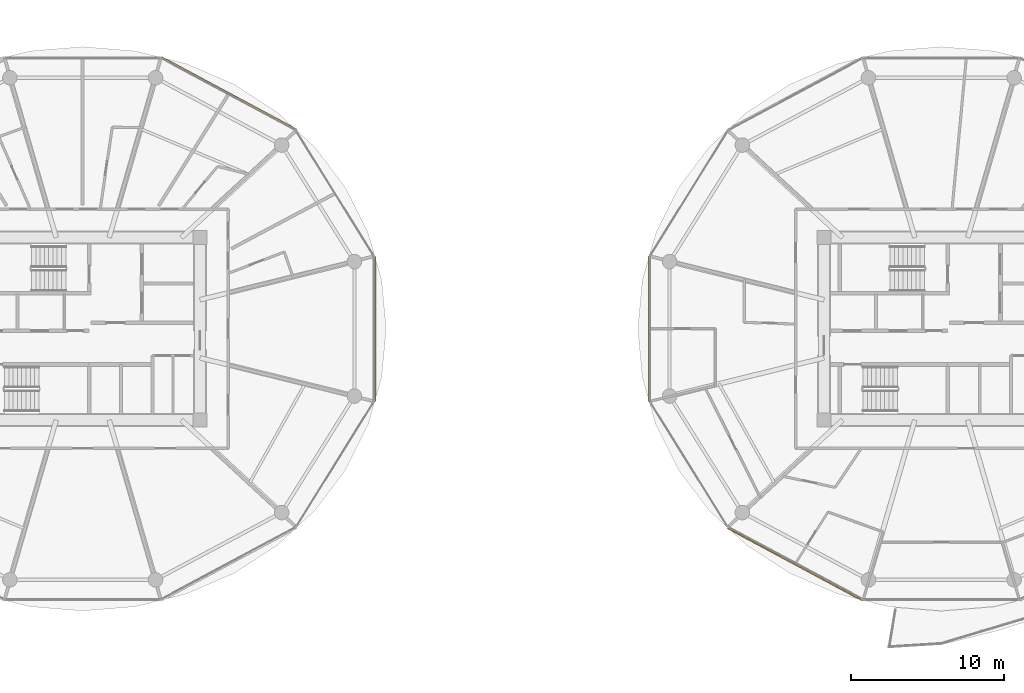
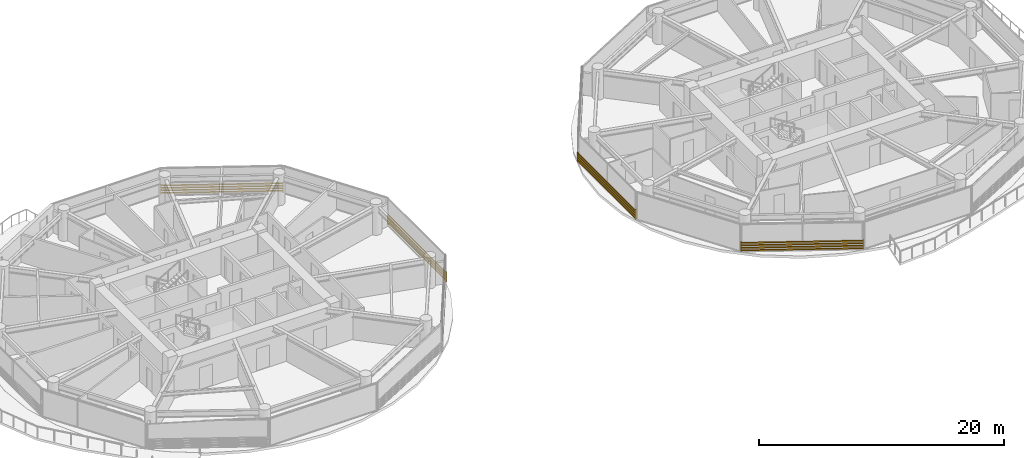
# One storey, part 25 of 27: 4 shading devices.
"""IFC4 building model written with IfcOpenShell, lengths in metres."""

from ifc_helpers import new_model, si_unit, direction, frame, origin, origin_2d, place, context, subcontext, project, spatial, rectangle, extrude, source, transform, mapped, material, type_object, type_shapes, element, save


model = new_model("IFC4")

# Units and contexts
model_context = context("Model", 3, precision=1e-05, world=origin(), true_north=direction((0.0, 1.0)))
body_context = subcontext(model_context, "Body", "Model", "MODEL_VIEW")
ifc_project = project(units=[si_unit("LENGTHUNIT", "METRE"), si_unit("AREAUNIT", "SQUARE_METRE"), si_unit("VOLUMEUNIT", "CUBIC_METRE"), si_unit("PLANEANGLEUNIT", "RADIAN"), si_unit("MASSUNIT", "GRAM", prefix="KILO")], contexts=[model_context])

# Site, building, storey
site_placement = place(None, origin())
site = spatial("IfcSite", under=ifc_project, at=site_placement, CompositionType="ELEMENT")
building_placement = place(site_placement, origin())
building = spatial("IfcBuilding", under=site, at=building_placement, Name="Norrkilde Senior Care Towers", CompositionType="ELEMENT")
storey_placement = place(building_placement, frame((0.0, 0.0, 33.800048828125)))
storey = spatial("IfcBuildingStorey", under=building, at=storey_placement, Name="L09", CompositionType="ELEMENT", Elevation=33.800048828125)

# Shading devices
ifc_material = material(Name="Architectural Terracotta", Category="masonry")
shading_device_type = type_object("IfcShadingDeviceType", Name="Horizontal Terracotta Baguette Rack", PredefinedType="USERDEFINED", material=ifc_material)
shared_shape_1 = source(origin(), body_context, "Body", "SweptSolid", [
    extrude(rectangle(XDim=0.070068359375, YDim=0.110107421875, at=origin_2d()), frame((0.0, 0.090087890625, 0.125), z_axis=(1.0, 0.0, 0.0), x_axis=(0.0, 1.0, 0.0)), (0.0, 0.0, 1.0), 10.0107421875),
    extrude(rectangle(XDim=0.070068359375, YDim=0.110107421875, at=origin_2d()), frame((0.0, 0.090087890625, 0.375), z_axis=(1.0, 0.0, 0.0), x_axis=(0.0, 1.0, 0.0)), (0.0, 0.0, 1.0), 10.0107421875),
    extrude(rectangle(XDim=0.070068359375, YDim=0.110107421875, at=origin_2d()), frame((0.0, 0.090087890625, 0.625), z_axis=(1.0, 0.0, 0.0), x_axis=(0.0, 1.0, 0.0)), (0.0, 0.0, 1.0), 10.0107421875),
    extrude(rectangle(XDim=0.070068359375, YDim=0.110107421875, at=origin_2d()), frame((0.0, 0.090087890625, 0.875), z_axis=(1.0, 0.0, 0.0), x_axis=(0.0, 1.0, 0.0)), (0.0, 0.0, 1.0), 10.0107421875),
    extrude(rectangle(XDim=0.050048828125, YDim=0.1552734375, at=origin_2d()), frame((0.02490234375, 0.047607421875, 0.0)), (0.0, 0.0, 1.0), 1.0),
    extrude(rectangle(XDim=0.050048828125, YDim=0.1552734375, at=origin_2d()), frame((9.98583984375, 0.047607421875, 0.0)), (0.0, 0.0, 1.0), 1.0),
])
for number, where, z_axis, x_axis, name in (
    (1, (-22.906494140625, 17.6572265625, 0.079833984375), (0.0, 0.0, 1.0), (0.881279875134, -0.472612428056, 0.0), "L09 Drum W Terracotta Baguette Screen 01"),
    (2, (22.906494140625, -17.6572265625, 0.079833984375), (0.0, 0.0, 1.0), (-0.881279875134, 0.472612428056, 0.0), "L09 Drum E Terracotta Baguette Screen 07"),
):
    element("IfcShadingDevice", number, at=place(storey_placement, frame(where, z_axis=z_axis, x_axis=x_axis)), inside=storey, type_object=shading_device_type, Name=name, ObjectType="BAGUETTE", PredefinedType="USERDEFINED", context=body_context, shape_type="MappedRepresentation", body=[
        mapped(shared_shape_1, transform((0.0, 0.0, 0.0), x_axis=(1.0, 0.0, 0.0), y_axis=(0.0, 1.0, 0.0), z_axis=(0.0, 0.0, 1.0), scale=1.0)),
    ])
shared_shape_2 = source(origin(), body_context, "Body", "SweptSolid", [
    extrude(rectangle(XDim=0.070068359375, YDim=0.110107421875, at=origin_2d()), frame((0.0, 0.090087890625, 0.125), z_axis=(1.0, 0.0, 0.0), x_axis=(0.0, 1.0, 0.0)), (0.0, 0.0, 1.0), 9.46240234375),
    extrude(rectangle(XDim=0.070068359375, YDim=0.110107421875, at=origin_2d()), frame((0.0, 0.090087890625, 0.375), z_axis=(1.0, 0.0, 0.0), x_axis=(0.0, 1.0, 0.0)), (0.0, 0.0, 1.0), 9.46240234375),
    extrude(rectangle(XDim=0.070068359375, YDim=0.110107421875, at=origin_2d()), frame((0.0, 0.090087890625, 0.625), z_axis=(1.0, 0.0, 0.0), x_axis=(0.0, 1.0, 0.0)), (0.0, 0.0, 1.0), 9.46240234375),
    extrude(rectangle(XDim=0.070068359375, YDim=0.110107421875, at=origin_2d()), frame((0.0, 0.090087890625, 0.875), z_axis=(1.0, 0.0, 0.0), x_axis=(0.0, 1.0, 0.0)), (0.0, 0.0, 1.0), 9.46240234375),
    extrude(rectangle(XDim=0.050048828125, YDim=0.1552734375, at=origin_2d()), frame((0.02490234375, 0.047607421875, 0.0)), (0.0, 0.0, 1.0), 1.0),
    extrude(rectangle(XDim=0.050048828125, YDim=0.1552734375, at=origin_2d()), frame((9.4375, 0.047607421875, 0.0)), (0.0, 0.0, 1.0), 1.0),
])
type_shapes(shading_device_type, [shared_shape_1, shared_shape_2])
for number, where, z_axis, x_axis, name in (
    (3, (-8.990478515625, 4.731201171875, 0.079833984375), (0.0, 0.0, 1.0), (0.0, -1.0, 0.0), "L09 Drum W Terracotta Baguette Screen 11"),
    (4, (8.990478515625, -4.731201171875, 0.079833984375), (0.0, 0.0, 1.0), (0.0, 1.0, 0.0), "L09 Drum E Terracotta Baguette Screen 05"),
):
    element("IfcShadingDevice", number, at=place(storey_placement, frame(where, z_axis=z_axis, x_axis=x_axis)), inside=storey, type_object=shading_device_type, Name=name, ObjectType="BAGUETTE", PredefinedType="USERDEFINED", context=body_context, shape_type="MappedRepresentation", body=[
        mapped(shared_shape_2, transform((0.0, 0.0, 0.0), x_axis=(1.0, 0.0, 0.0), y_axis=(0.0, 1.0, 0.0), z_axis=(0.0, 0.0, 1.0), scale=1.0)),
    ])

save(model, "model.ifc")
